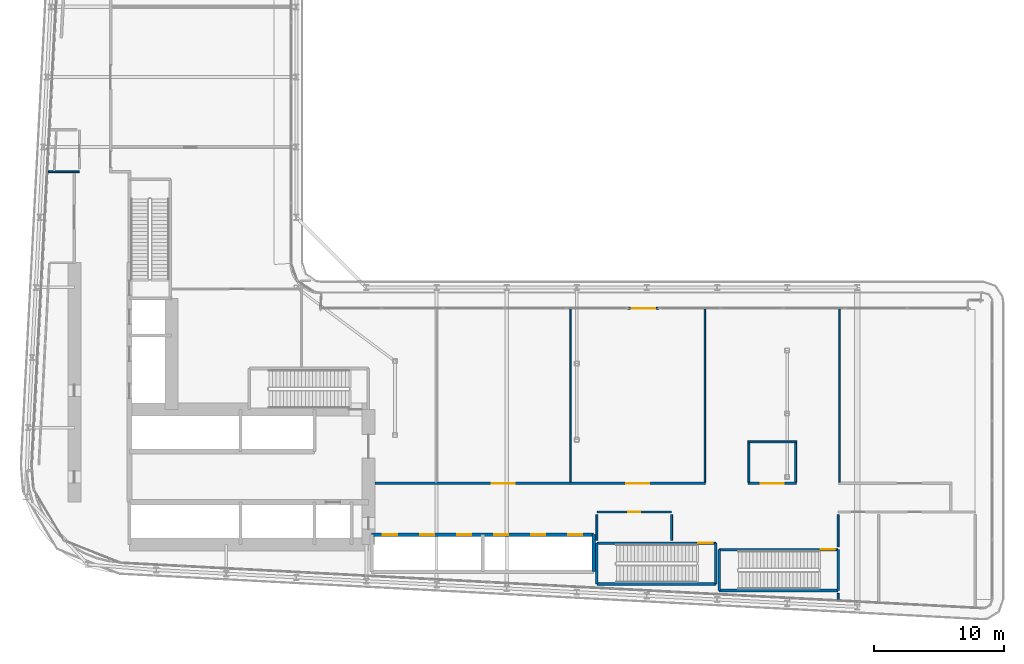
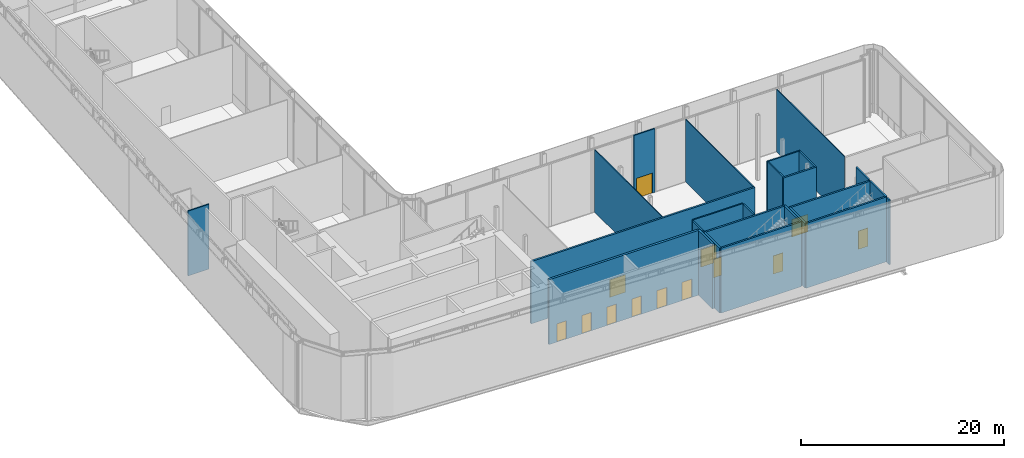
# One storey, part 26 of 36: 25 walls, 13 doors, 13 openings.
"""IFC4 building model written with IfcOpenShell, lengths in metres."""

from ifc_helpers import new_model, si_unit, direction, frame, frame_2d, origin, place, context, subcontext, project, spatial, rectangle, extrude, source, transform, mapped, material, layer, layer_set, type_object, element, fill, save


model = new_model("IFC4")

# Units and contexts
model_context = context("Model", 3, precision=1e-05, world=origin(), true_north=direction((0.0, 1.0)))
body_context = subcontext(model_context, "Body", "Model", "MODEL_VIEW")
ifc_project = project(units=[si_unit("LENGTHUNIT", "METRE"), si_unit("AREAUNIT", "SQUARE_METRE"), si_unit("VOLUMEUNIT", "CUBIC_METRE"), si_unit("PLANEANGLEUNIT", "RADIAN"), si_unit("MASSUNIT", "GRAM", prefix="KILO")], contexts=[model_context])

# Site, building, storey
site_placement = place(None, origin())
site = spatial("IfcSite", under=ifc_project, at=site_placement, CompositionType="ELEMENT")
building_placement = place(site_placement, origin())
building = spatial("IfcBuilding", under=site, at=building_placement, Name="Kheshtan School and Residences Tower", CompositionType="ELEMENT")
storey_placement = place(building_placement, frame((0.0, 0.0, 81.199951171875)))
storey = spatial("IfcBuildingStorey", under=building, at=storey_placement, Name="L19", CompositionType="ELEMENT", Elevation=81.199951171875)

# Wall, openings, doors
ifc_material_1 = material(Name="Gypsum board on steel studs with fire boards", Category="steel")
ifc_layer_1 = layer(ifc_material_1, 0.199951171875)
ifc_layer_set_1 = layer_set([ifc_layer_1], Name="Corridor wall 200")
wall_type_1 = type_object("IfcWallType", Name="Corridor wall 200", PredefinedType="PARTITIONING", material=ifc_layer_set_1)
wall_1_placement = place(storey_placement, frame((53.64892578125, 30.5, 0.0), z_axis=(0.0, 0.0, 1.0), x_axis=(1.0, 0.0, 0.0)))
wall_1 = element("IfcWall", 1, at=wall_1_placement, inside=storey, type_object=wall_type_1, Name="Partition L19-027", PredefinedType="PARTITIONING", context=body_context, shape_type="SweptSolid", body=[
    extrude(rectangle(XDim=25.465087890625, YDim=0.199951171875, at=frame_2d((12.732421875, 0.0))), origin(), (0.0, 0.0, 1.0), 7.5),
])
opening_1_placement = place(wall_1_placement, frame((8.98291015625, 0.0, 0.0)))
opening_1 = element("IfcOpeningElement", 2, at=opening_1_placement, cuts=wall_1, Name="Opening D19-002", PredefinedType="OPENING", context=body_context, shape_type="SweptSolid", body=[
    extrude(rectangle(XDim=1.800048828125, YDim=2.10009765625, at=frame_2d((0.89990234375, 1.050048828125))), frame((0.0, 0.10986328125, 0.0), z_axis=(0.0, -1.0, 0.0), x_axis=(1.0, 0.0, 0.0)), (0.0, 0.0, 1.0), 0.219970703125),
])
opening_2_placement = place(wall_1_placement, frame((19.341064453125, 0.0, 0.0)))
opening_2 = element("IfcOpeningElement", 3, at=opening_2_placement, cuts=wall_1, Name="Opening D19-003", PredefinedType="OPENING", context=body_context, shape_type="SweptSolid", body=[
    extrude(rectangle(XDim=1.800048828125, YDim=2.10009765625, at=frame_2d((0.89990234375, 1.050048828125))), frame((0.0, 0.10986328125, 0.0), z_axis=(0.0, -1.0, 0.0), x_axis=(1.0, 0.0, 0.0)), (0.0, 0.0, 1.0), 0.219970703125),
])
ifc_material_2 = material(Name="Steel-framed fire-resisting door leaf", Category="steel")
door_type_1 = type_object("IfcDoorType", Name="Fire double door FD60 1800 x 2100", OperationType="DOUBLE_DOOR_SINGLE_SWING", PredefinedType="DOOR", material=ifc_material_2)
shared_shape_1 = source(origin(), body_context, "Body", "SweptSolid", [
    extrude(rectangle(XDim=1.800048828125, YDim=2.10009765625, at=frame_2d((0.89990234375, 1.050048828125))), frame((0.0, 0.02490234375, 0.0), z_axis=(0.0, -1.0, 0.0), x_axis=(1.0, 0.0, 0.0)), (0.0, 0.0, 1.0), 0.050048828125),
])
door_1_placement = place(opening_1_placement, origin())
door_1 = element("IfcDoor", 4, at=door_1_placement, inside=storey, type_object=door_type_1, Name="Door D19-002", OperationType="DOUBLE_DOOR_SINGLE_SWING", OverallHeight=2.10009765625, OverallWidth=1.800048828125, PredefinedType="DOOR", context=body_context, shape_type="MappedRepresentation", body=[
    mapped(shared_shape_1, transform((0.0, 0.0, 0.0), x_axis=(1.0, 0.0, 0.0), y_axis=(0.0, 1.0, 0.0), z_axis=(0.0, 0.0, 1.0), scale=1.0)),
])
fill(opening_1, door_1)
door_2_placement = place(opening_2_placement, origin())
door_2 = element("IfcDoor", 5, at=door_2_placement, inside=storey, type_object=door_type_1, Name="Door D19-003", OperationType="DOUBLE_DOOR_SINGLE_SWING", OverallHeight=2.10009765625, OverallWidth=1.800048828125, PredefinedType="DOOR", context=body_context, shape_type="MappedRepresentation", body=[
    mapped(shared_shape_1, transform((0.0, 0.0, 0.0), x_axis=(1.0, 0.0, 0.0), y_axis=(0.0, 1.0, 0.0), z_axis=(0.0, 0.0, 1.0), scale=1.0)),
])
fill(opening_2, door_2)

# Wall, opening, door
wall_2_placement = place(storey_placement, frame((82.373046875, 30.5, 0.0), z_axis=(0.0, 0.0, 1.0), x_axis=(1.0, 0.0, 0.0)))
wall_2 = element("IfcWall", 6, at=wall_2_placement, inside=storey, type_object=wall_type_1, Name="Partition L19-031", PredefinedType="PARTITIONING", context=body_context, shape_type="SweptSolid", body=[
    extrude(rectangle(XDim=3.75, YDim=0.199951171875, at=frame_2d((1.875, 0.0))), origin(), (0.0, 0.0, 1.0), 7.5),
])
opening_3_placement = place(wall_2_placement, frame((0.97509765625, 0.0, 0.0)))
opening_3 = element("IfcOpeningElement", 7, at=opening_3_placement, cuts=wall_2, Name="Opening D19-004", PredefinedType="OPENING", context=body_context, shape_type="SweptSolid", body=[
    extrude(rectangle(XDim=1.800048828125, YDim=2.10009765625, at=frame_2d((0.89990234375, 1.050048828125))), frame((0.0, 0.10986328125, 0.0), z_axis=(0.0, -1.0, 0.0), x_axis=(1.0, 0.0, 0.0)), (0.0, 0.0, 1.0), 0.219970703125),
])
door_3_placement = place(opening_3_placement, origin())
door_3 = element("IfcDoor", 8, at=door_3_placement, inside=storey, type_object=door_type_1, Name="Door D19-004", OperationType="DOUBLE_DOOR_SINGLE_SWING", OverallHeight=2.10009765625, OverallWidth=1.800048828125, PredefinedType="DOOR", context=body_context, shape_type="MappedRepresentation", body=[
    mapped(shared_shape_1, transform((0.0, 0.0, 0.0), x_axis=(1.0, 0.0, 0.0), y_axis=(0.0, 1.0, 0.0), z_axis=(0.0, 0.0, 1.0), scale=1.0)),
])
fill(opening_3, door_3)

ifc_material_3 = material(Name="Aluminium frame wall with insulated infill", Category="aluminium")
ifc_layer_2 = layer(ifc_material_3, 0.14990234375)
ifc_layer_set_2 = layer_set([ifc_layer_2], Name="Glazing frame wall 150")
wall_type_2 = type_object("IfcWallType", Name="Glazing frame wall 150", PredefinedType="SOLIDWALL", material=ifc_layer_set_2)
wall_3_placement = place(storey_placement, frame((73.1298828125, 43.97509765625, 0.0), z_axis=(0.0, 0.0, 1.0), x_axis=(1.0, 0.0, 0.0)))
wall_3 = element("IfcWall", 9, at=wall_3_placement, inside=storey, type_object=wall_type_2, Name="Terrace door wall L19 5", PredefinedType="SOLIDWALL", context=body_context, shape_type="SweptSolid", body=[
    extrude(rectangle(XDim=2.400146484375, YDim=0.14990234375, at=frame_2d((1.2001953125, 0.0))), origin(), (0.0, 0.0, 1.0), 7.650146484375),
])
opening_4_placement = place(wall_3_placement, frame((0.300048828125, 0.0, 0.0)))
opening_4 = element("IfcOpeningElement", 10, at=opening_4_placement, cuts=wall_3, Name="Opening BD", PredefinedType="OPENING", context=body_context, shape_type="SweptSolid", body=[
    extrude(rectangle(XDim=1.800048828125, YDim=2.39990234375, at=frame_2d((0.89990234375, 1.199951171875))), frame((0.0, 0.0849609375, 0.0), z_axis=(0.0, -1.0, 0.0), x_axis=(1.0, 0.0, 0.0)), (0.0, 0.0, 1.0), 0.169921875),
])
ifc_material_4 = material(Name="Clear low-e glass in thermally broken aluminium frame", Category="aluminium")
door_type_2 = type_object("IfcDoorType", Name="Balcony sliding door", OperationType="SLIDING_TO_LEFT", PredefinedType="DOOR", material=ifc_material_4)
shared_shape_2 = source(origin(), body_context, "Body", "SweptSolid", [
    extrude(rectangle(XDim=1.800048828125, YDim=2.39990234375, at=frame_2d((0.89990234375, 1.199951171875))), frame((0.0, 0.02490234375, 0.0), z_axis=(0.0, -1.0, 0.0), x_axis=(1.0, 0.0, 0.0)), (0.0, 0.0, 1.0), 0.050048828125),
])
door_4_placement = place(opening_4_placement, origin())
door_4 = element("IfcDoor", 11, at=door_4_placement, inside=storey, type_object=door_type_2, Name="Terrace door L19 5", OperationType="SLIDING_TO_LEFT", OverallHeight=2.39990234375, OverallWidth=1.800048828125, PredefinedType="DOOR", context=body_context, shape_type="MappedRepresentation", body=[
    mapped(shared_shape_2, transform((0.0, 0.0, 0.0), x_axis=(1.0, 0.0, 0.0), y_axis=(0.0, 1.0, 0.0), z_axis=(0.0, 0.0, 1.0), scale=1.0)),
])
fill(opening_4, door_4)

# Walls
ifc_material_5 = material(Name="Gypsum board on steel studs", Category="steel")
ifc_layer_3 = layer(ifc_material_5, 0.10009765625)
ifc_layer_set_3 = layer_set([ifc_layer_3], Name="Gypsum partition 100")
wall_type_3 = type_object("IfcWallType", Name="Gypsum partition 100", PredefinedType="PARTITIONING", material=ifc_layer_set_3)
for number, where, z_axis, x_axis, name in (
    (12, (68.7060546875, 30.60009765625, 0.0), (0.0, 0.0, 1.0), (0.0, 1.0, 0.0), "Partition L19-029"),
    (13, (79.06396484375, 30.60009765625, 0.0), (0.0, 0.0, 1.0), (0.0, 1.0, 0.0), "Partition L19-030"),
    (14, (89.422119140625, 30.60009765625, 0.0), (0.0, 0.0, 1.0), (0.0, 1.0, 0.0), "Partition L19-036"),
):
    element("IfcWall", number, at=place(storey_placement, frame(where, z_axis=z_axis, x_axis=x_axis)), inside=storey, type_object=wall_type_3, Name=name, PredefinedType="PARTITIONING", context=body_context, shape_type="SweptSolid", body=[
        extrude(rectangle(XDim=13.369873046875, YDim=0.10009765625, at=frame_2d((6.68505859375, 0.0))), origin(), (0.0, 0.0, 1.0), 7.5),
    ])
ifc_material_6 = material(Name="Fire-board shaft wall system")
ifc_layer_4 = layer(ifc_material_6, 0.14990234375)
ifc_layer_set_4 = layer_set([ifc_layer_4], Name="Service room wall 150")
wall_type_4 = type_object("IfcWallType", Name="Service room wall 150", PredefinedType="PARTITIONING", material=ifc_layer_set_4)
wall_4_placement = place(storey_placement, frame((28.508056640625, 54.5, 0.0), z_axis=(0.0, 0.0, 1.0), x_axis=(1.0, 0.0, 0.0)))
element("IfcWall", 15, at=wall_4_placement, inside=storey, type_object=wall_type_4, Name="Service room wall", PredefinedType="PARTITIONING", context=body_context, shape_type="SweptSolid", body=[
    extrude(rectangle(XDim=2.391845703125, YDim=0.14990234375, at=frame_2d((1.19580078125, 0.0))), origin(), (0.0, 0.0, 1.0), 7.800048828125),
])

# Wall, opening, door
wall_5_placement = place(storey_placement, frame((70.75, 28.300048828125, 0.0), z_axis=(0.0, 0.0, 1.0), x_axis=(1.0, 0.0, 0.0)))
wall_5 = element("IfcWall", 16, at=wall_5_placement, inside=storey, type_object=wall_type_4, Name="Service room wall", PredefinedType="PARTITIONING", context=body_context, shape_type="SweptSolid", body=[
    extrude(rectangle(XDim=5.760009765625, YDim=0.14990234375, at=frame_2d((2.8798828125, 0.0))), origin(), (0.0, 0.0, 1.0), 7.800048828125),
])
opening_5_placement = place(wall_5_placement, frame((2.429931640625, 0.0, 0.0)))
opening_5 = element("IfcOpeningElement", 17, at=opening_5_placement, cuts=wall_5, Name="Opening SR90", PredefinedType="OPENING", context=body_context, shape_type="SweptSolid", body=[
    extrude(rectangle(XDim=0.89990234375, YDim=2.199951171875, at=frame_2d((0.449951171875, 1.10009765625))), frame((0.0, 0.0849609375, 0.0), z_axis=(0.0, -1.0, 0.0), x_axis=(1.0, 0.0, 0.0)), (0.0, 0.0, 1.0), 0.169921875),
])
ifc_material_7 = material(Name="Steel door leaf, galvanised", Category="steel")
door_type_3 = type_object("IfcDoorType", Name="Service room door 900 steel 90 min", OperationType="SINGLE_SWING_LEFT", PredefinedType="DOOR", material=ifc_material_7)
shared_shape_3 = source(origin(), body_context, "Body", "SweptSolid", [
    extrude(rectangle(XDim=0.89990234375, YDim=2.199951171875, at=frame_2d((0.449951171875, 1.10009765625))), frame((0.0, 0.02490234375, 0.0), z_axis=(0.0, -1.0, 0.0), x_axis=(1.0, 0.0, 0.0)), (0.0, 0.0, 1.0), 0.050048828125),
])
door_5_placement = place(opening_5_placement, origin())
door_5 = element("IfcDoor", 18, at=door_5_placement, inside=storey, type_object=door_type_3, Name="Service room door", OperationType="SINGLE_SWING_LEFT", OverallHeight=2.199951171875, OverallWidth=0.89990234375, PredefinedType="DOOR", context=body_context, shape_type="MappedRepresentation", body=[
    mapped(shared_shape_3, transform((0.0, 0.0, 0.0), x_axis=(1.0, 0.0, 0.0), y_axis=(0.0, 1.0, 0.0), z_axis=(0.0, 0.0, 1.0), scale=1.0)),
])
fill(opening_5, door_5)

# Walls
for number, where, z_axis, x_axis, name in (
    (19, (70.75, 26.1201171875, 0.0), (0.0, 0.0, 1.0), (0.0, 1.0, 0.0), "Service room wall"),
    (20, (76.510009765625, 26.1201171875, 0.0), (0.0, 0.0, 1.0), (0.0, 1.0, 0.0), "Service room wall"),
):
    element("IfcWall", number, at=place(storey_placement, frame(where, z_axis=z_axis, x_axis=x_axis)), inside=storey, type_object=wall_type_4, Name=name, PredefinedType="PARTITIONING", context=body_context, shape_type="SweptSolid", body=[
        extrude(rectangle(XDim=1.98486328125, YDim=0.14990234375, at=frame_2d((0.992431640625, 0.0))), origin(), (0.0, 0.0, 1.0), 7.800048828125),
    ])
wall_6_placement = place(storey_placement, frame((89.320068359375, 21.571044921875, 0.0), z_axis=(0.0, 0.0, 1.0), x_axis=(0.0, 1.0, 0.0)))
element("IfcWall", 21, at=wall_6_placement, inside=storey, type_object=wall_type_4, Name="Service room wall", PredefinedType="PARTITIONING", context=body_context, shape_type="SweptSolid", body=[
    extrude(rectangle(XDim=0.458984375, YDim=0.14990234375, at=frame_2d((0.2294921875, 0.0))), origin(), (0.0, 0.0, 1.0), 7.800048828125),
])
wall_7_placement = place(storey_placement, frame((89.320068359375, 25.6201171875, 0.0), z_axis=(0.0, 0.0, 1.0), x_axis=(0.0, 1.0, 0.0)))
element("IfcWall", 22, at=wall_7_placement, inside=storey, type_object=wall_type_4, Name="Service room wall", PredefinedType="PARTITIONING", context=body_context, shape_type="SweptSolid", body=[
    extrude(rectangle(XDim=2.48486328125, YDim=0.14990234375, at=frame_2d((1.242431640625, 0.0))), origin(), (0.0, 0.0, 1.0), 7.800048828125),
])
ifc_layer_5 = layer(ifc_material_6, 0.25)
ifc_layer_set_5 = layer_set([ifc_layer_5], Name="Shaft lining wall 250")
wall_type_5 = type_object("IfcWallType", Name="Shaft lining wall 250", PredefinedType="PARTITIONING", material=ifc_layer_set_5)
wall_8_placement = place(storey_placement, frame((70.5, 23.699951171875, 0.0), z_axis=(0.0, 0.0, 1.0), x_axis=(0.0, 1.0, 0.0)))
element("IfcWall", 23, at=wall_8_placement, inside=storey, type_object=wall_type_5, Name="Shaft lining wall", PredefinedType="PARTITIONING", context=body_context, shape_type="SweptSolid", body=[
    extrude(rectangle(XDim=2.85009765625, YDim=0.25, at=frame_2d((1.425048828125, 0.0))), origin(), (0.0, 0.0, 1.0), 7.800048828125),
])

# Wall, openings, doors
wall_9_placement = place(storey_placement, frame((53.39990234375, 26.550048828125, 0.0), z_axis=(0.0, 0.0, 1.0), x_axis=(1.0, 0.0, 0.0)))
wall_9 = element("IfcWall", 24, at=wall_9_placement, inside=storey, type_object=wall_type_5, Name="Shaft lining wall", PredefinedType="PARTITIONING", context=body_context, shape_type="SweptSolid", body=[
    extrude(rectangle(XDim=17.10009765625, YDim=0.25, at=frame_2d((8.550048828125, 0.0))), origin(), (0.0, 0.0, 1.0), 7.800048828125),
])
opening_6_placement = place(wall_9_placement, frame((0.875, 0.0, 0.0)))
opening_6 = element("IfcOpeningElement", 25, at=opening_6_placement, cuts=wall_9, Name="Opening LD", PredefinedType="OPENING", context=body_context, shape_type="SweptSolid", body=[
    extrude(rectangle(XDim=1.10009765625, YDim=2.199951171875, at=frame_2d((0.550048828125, 1.10009765625))), frame((0.0, 0.135009765625, 0.0), z_axis=(0.0, -1.0, 0.0), x_axis=(1.0, 0.0, 0.0)), (0.0, 0.0, 1.0), 0.27001953125),
])
opening_7_placement = place(wall_9_placement, frame((3.72509765625, 0.0, 0.0)))
opening_7 = element("IfcOpeningElement", 26, at=opening_7_placement, cuts=wall_9, Name="Opening LD", PredefinedType="OPENING", context=body_context, shape_type="SweptSolid", body=[
    extrude(rectangle(XDim=1.10009765625, YDim=2.199951171875, at=frame_2d((0.550048828125, 1.10009765625))), frame((0.0, 0.135009765625, 0.0), z_axis=(0.0, -1.0, 0.0), x_axis=(1.0, 0.0, 0.0)), (0.0, 0.0, 1.0), 0.27001953125),
])
opening_8_placement = place(wall_9_placement, frame((6.574951171875, 0.0, 0.0)))
opening_8 = element("IfcOpeningElement", 27, at=opening_8_placement, cuts=wall_9, Name="Opening LD", PredefinedType="OPENING", context=body_context, shape_type="SweptSolid", body=[
    extrude(rectangle(XDim=1.10009765625, YDim=2.199951171875, at=frame_2d((0.550048828125, 1.10009765625))), frame((0.0, 0.135009765625, 0.0), z_axis=(0.0, -1.0, 0.0), x_axis=(1.0, 0.0, 0.0)), (0.0, 0.0, 1.0), 0.27001953125),
])
opening_9_placement = place(wall_9_placement, frame((9.425048828125, 0.0, 0.0)))
opening_9 = element("IfcOpeningElement", 28, at=opening_9_placement, cuts=wall_9, Name="Opening LD", PredefinedType="OPENING", context=body_context, shape_type="SweptSolid", body=[
    extrude(rectangle(XDim=1.10009765625, YDim=2.199951171875, at=frame_2d((0.550048828125, 1.10009765625))), frame((0.0, 0.135009765625, 0.0), z_axis=(0.0, -1.0, 0.0), x_axis=(1.0, 0.0, 0.0)), (0.0, 0.0, 1.0), 0.27001953125),
])
opening_10_placement = place(wall_9_placement, frame((12.27490234375, 0.0, 0.0)))
opening_10 = element("IfcOpeningElement", 29, at=opening_10_placement, cuts=wall_9, Name="Opening LD", PredefinedType="OPENING", context=body_context, shape_type="SweptSolid", body=[
    extrude(rectangle(XDim=1.10009765625, YDim=2.199951171875, at=frame_2d((0.550048828125, 1.10009765625))), frame((0.0, 0.135009765625, 0.0), z_axis=(0.0, -1.0, 0.0), x_axis=(1.0, 0.0, 0.0)), (0.0, 0.0, 1.0), 0.27001953125),
])
opening_11_placement = place(wall_9_placement, frame((15.125, 0.0, 0.0)))
opening_11 = element("IfcOpeningElement", 30, at=opening_11_placement, cuts=wall_9, Name="Opening LD", PredefinedType="OPENING", context=body_context, shape_type="SweptSolid", body=[
    extrude(rectangle(XDim=1.10009765625, YDim=2.199951171875, at=frame_2d((0.550048828125, 1.10009765625))), frame((0.0, 0.135009765625, 0.0), z_axis=(0.0, -1.0, 0.0), x_axis=(1.0, 0.0, 0.0)), (0.0, 0.0, 1.0), 0.27001953125),
])
ifc_material_8 = material(Name="Stainless steel door leaves", Category="steel")
door_type_4 = type_object("IfcDoorType", Name="Lift landing door 1100", OperationType="SLIDING_TO_LEFT", PredefinedType="DOOR", material=ifc_material_8)
shared_shape_4 = source(origin(), body_context, "Body", "SweptSolid", [
    extrude(rectangle(XDim=1.10009765625, YDim=2.199951171875, at=frame_2d((0.550048828125, 1.10009765625))), frame((0.0, 0.02490234375, 0.0), z_axis=(0.0, -1.0, 0.0), x_axis=(1.0, 0.0, 0.0)), (0.0, 0.0, 1.0), 0.050048828125),
])
door_6_placement = place(opening_6_placement, origin())
door_6 = element("IfcDoor", 31, at=door_6_placement, inside=storey, type_object=door_type_4, Name="Lift P1 landing door", OperationType="SLIDING_TO_LEFT", OverallHeight=2.199951171875, OverallWidth=1.10009765625, PredefinedType="DOOR", context=body_context, shape_type="MappedRepresentation", body=[
    mapped(shared_shape_4, transform((0.0, 0.0, 0.0), x_axis=(1.0, 0.0, 0.0), y_axis=(0.0, 1.0, 0.0), z_axis=(0.0, 0.0, 1.0), scale=1.0)),
])
fill(opening_6, door_6)
door_7_placement = place(opening_7_placement, origin())
door_7 = element("IfcDoor", 32, at=door_7_placement, inside=storey, type_object=door_type_4, Name="Lift P2 landing door", OperationType="SLIDING_TO_LEFT", OverallHeight=2.199951171875, OverallWidth=1.10009765625, PredefinedType="DOOR", context=body_context, shape_type="MappedRepresentation", body=[
    mapped(shared_shape_4, transform((0.0, 0.0, 0.0), x_axis=(1.0, 0.0, 0.0), y_axis=(0.0, 1.0, 0.0), z_axis=(0.0, 0.0, 1.0), scale=1.0)),
])
fill(opening_7, door_7)
door_8_placement = place(opening_8_placement, origin())
door_8 = element("IfcDoor", 33, at=door_8_placement, inside=storey, type_object=door_type_4, Name="Lift P3 landing door", OperationType="SLIDING_TO_LEFT", OverallHeight=2.199951171875, OverallWidth=1.10009765625, PredefinedType="DOOR", context=body_context, shape_type="MappedRepresentation", body=[
    mapped(shared_shape_4, transform((0.0, 0.0, 0.0), x_axis=(1.0, 0.0, 0.0), y_axis=(0.0, 1.0, 0.0), z_axis=(0.0, 0.0, 1.0), scale=1.0)),
])
fill(opening_8, door_8)
door_9_placement = place(opening_9_placement, origin())
door_9 = element("IfcDoor", 34, at=door_9_placement, inside=storey, type_object=door_type_4, Name="Lift P4 landing door", OperationType="SLIDING_TO_LEFT", OverallHeight=2.199951171875, OverallWidth=1.10009765625, PredefinedType="DOOR", context=body_context, shape_type="MappedRepresentation", body=[
    mapped(shared_shape_4, transform((0.0, 0.0, 0.0), x_axis=(1.0, 0.0, 0.0), y_axis=(0.0, 1.0, 0.0), z_axis=(0.0, 0.0, 1.0), scale=1.0)),
])
fill(opening_9, door_9)
door_10_placement = place(opening_10_placement, origin())
door_10 = element("IfcDoor", 35, at=door_10_placement, inside=storey, type_object=door_type_4, Name="Lift P5 landing door", OperationType="SLIDING_TO_LEFT", OverallHeight=2.199951171875, OverallWidth=1.10009765625, PredefinedType="DOOR", context=body_context, shape_type="MappedRepresentation", body=[
    mapped(shared_shape_4, transform((0.0, 0.0, 0.0), x_axis=(1.0, 0.0, 0.0), y_axis=(0.0, 1.0, 0.0), z_axis=(0.0, 0.0, 1.0), scale=1.0)),
])
fill(opening_10, door_10)
door_11_placement = place(opening_11_placement, origin())
door_11 = element("IfcDoor", 36, at=door_11_placement, inside=storey, type_object=door_type_4, Name="Lift P6 landing door", OperationType="SLIDING_TO_LEFT", OverallHeight=2.199951171875, OverallWidth=1.10009765625, PredefinedType="DOOR", context=body_context, shape_type="MappedRepresentation", body=[
    mapped(shared_shape_4, transform((0.0, 0.0, 0.0), x_axis=(1.0, 0.0, 0.0), y_axis=(0.0, 1.0, 0.0), z_axis=(0.0, 0.0, 1.0), scale=1.0)),
])
fill(opening_11, door_11)

# Wall
ifc_material_9 = material(Name="Concrete C40/50", Category="concrete")
ifc_layer_6 = layer(ifc_material_9, 0.199951171875)
ifc_layer_set_6 = layer_set([ifc_layer_6], Name="Stair enclosure wall 200 Concrete C40/50")
wall_type_6 = type_object("IfcWallType", Name="Stair enclosure wall 200 Concrete C40/50", PredefinedType="SHEAR", material=ifc_layer_set_6)
wall_10_placement = place(storey_placement, frame((80.159912109375, 22.25, 0.0), z_axis=(0.0, 0.0, 1.0), x_axis=(1.0, 0.0, 0.0)))
element("IfcWall", 37, at=wall_10_placement, inside=storey, type_object=wall_type_6, Name="Stair enclosure wall ST4", PredefinedType="SHEAR", context=body_context, shape_type="SweptSolid", body=[
    extrude(rectangle(XDim=9.16015625, YDim=0.199951171875, at=frame_2d((4.580078125, 0.0))), origin(), (0.0, 0.0, 1.0), 7.800048828125),
])

# Wall, opening, door
wall_11_placement = place(storey_placement, frame((80.159912109375, 25.39990234375, 0.0), z_axis=(0.0, 0.0, 1.0), x_axis=(1.0, 0.0, 0.0)))
wall_11 = element("IfcWall", 38, at=wall_11_placement, inside=storey, type_object=wall_type_6, Name="Stair enclosure wall ST4", PredefinedType="SHEAR", context=body_context, shape_type="SweptSolid", body=[
    extrude(rectangle(XDim=9.16015625, YDim=0.199951171875, at=frame_2d((4.580078125, 0.0))), origin(), (0.0, 0.0, 1.0), 7.800048828125),
])
opening_12_placement = place(wall_11_placement, frame((7.81005859375, 0.0, 0.0)))
opening_12 = element("IfcOpeningElement", 39, at=opening_12_placement, cuts=wall_11, Name="Opening ST4D", PredefinedType="OPENING", context=body_context, shape_type="SweptSolid", body=[
    extrude(rectangle(XDim=1.10009765625, YDim=2.199951171875, at=frame_2d((0.550048828125, 1.10009765625))), frame((0.0, 0.10986328125, 0.0), z_axis=(0.0, -1.0, 0.0), x_axis=(1.0, 0.0, 0.0)), (0.0, 0.0, 1.0), 0.219970703125),
])
door_type_5 = type_object("IfcDoorType", Name="Stair door 1100 steel 90 min", OperationType="SINGLE_SWING_LEFT", PredefinedType="DOOR", material=ifc_material_7)
shared_shape_5 = source(origin(), body_context, "Body", "SweptSolid", [
    extrude(rectangle(XDim=1.10009765625, YDim=2.199951171875, at=frame_2d((0.550048828125, 1.10009765625))), frame((0.0, 0.02490234375, 0.0), z_axis=(0.0, -1.0, 0.0), x_axis=(1.0, 0.0, 0.0)), (0.0, 0.0, 1.0), 0.050048828125),
])
door_12_placement = place(opening_12_placement, origin())
door_12 = element("IfcDoor", 40, at=door_12_placement, inside=storey, type_object=door_type_5, Name="Stair ST4 door", OperationType="SINGLE_SWING_LEFT", OverallHeight=2.199951171875, OverallWidth=1.10009765625, PredefinedType="DOOR", context=body_context, shape_type="MappedRepresentation", body=[
    mapped(shared_shape_5, transform((0.0, 0.0, 0.0), x_axis=(1.0, 0.0, 0.0), y_axis=(0.0, 1.0, 0.0), z_axis=(0.0, 0.0, 1.0), scale=1.0)),
])
fill(opening_12, door_12)

# Walls
for number, where, z_axis, x_axis, name in (
    (41, (80.159912109375, 22.25, 0.0), (0.0, 0.0, 1.0), (0.0, 1.0, 0.0), "Stair enclosure wall ST4"),
    (42, (89.320068359375, 22.25, 0.0), (0.0, 0.0, 1.0), (0.0, 1.0, 0.0), "Stair enclosure wall ST4"),
):
    element("IfcWall", number, at=place(storey_placement, frame(where, z_axis=z_axis, x_axis=x_axis)), inside=storey, type_object=wall_type_6, Name=name, PredefinedType="SHEAR", context=body_context, shape_type="SweptSolid", body=[
        extrude(rectangle(XDim=3.14990234375, YDim=0.199951171875, at=frame_2d((1.574951171875, 0.0))), origin(), (0.0, 0.0, 1.0), 7.800048828125),
    ])
wall_12_placement = place(storey_placement, frame((70.75, 22.75, 0.0), z_axis=(0.0, 0.0, 1.0), x_axis=(1.0, 0.0, 0.0)))
element("IfcWall", 43, at=wall_12_placement, inside=storey, type_object=wall_type_6, Name="Stair enclosure wall ST5", PredefinedType="SHEAR", context=body_context, shape_type="SweptSolid", body=[
    extrude(rectangle(XDim=9.159912109375, YDim=0.199951171875, at=frame_2d((4.580078125, 0.0))), origin(), (0.0, 0.0, 1.0), 7.800048828125),
])

# Wall, opening, door
wall_13_placement = place(storey_placement, frame((70.75, 25.89990234375, 0.0), z_axis=(0.0, 0.0, 1.0), x_axis=(1.0, 0.0, 0.0)))
wall_13 = element("IfcWall", 44, at=wall_13_placement, inside=storey, type_object=wall_type_6, Name="Stair enclosure wall ST5", PredefinedType="SHEAR", context=body_context, shape_type="SweptSolid", body=[
    extrude(rectangle(XDim=9.159912109375, YDim=0.199951171875, at=frame_2d((4.580078125, 0.0))), origin(), (0.0, 0.0, 1.0), 7.800048828125),
])
opening_13_placement = place(wall_13_placement, frame((7.81005859375, 0.0, 0.0)))
opening_13 = element("IfcOpeningElement", 45, at=opening_13_placement, cuts=wall_13, Name="Opening ST5D", PredefinedType="OPENING", context=body_context, shape_type="SweptSolid", body=[
    extrude(rectangle(XDim=1.10009765625, YDim=2.199951171875, at=frame_2d((0.550048828125, 1.10009765625))), frame((0.0, 0.10986328125, 0.0), z_axis=(0.0, -1.0, 0.0), x_axis=(1.0, 0.0, 0.0)), (0.0, 0.0, 1.0), 0.219970703125),
])
door_13_placement = place(opening_13_placement, origin())
door_13 = element("IfcDoor", 46, at=door_13_placement, inside=storey, type_object=door_type_5, Name="Stair ST5 door", OperationType="SINGLE_SWING_LEFT", OverallHeight=2.199951171875, OverallWidth=1.10009765625, PredefinedType="DOOR", context=body_context, shape_type="MappedRepresentation", body=[
    mapped(shared_shape_5, transform((0.0, 0.0, 0.0), x_axis=(1.0, 0.0, 0.0), y_axis=(0.0, 1.0, 0.0), z_axis=(0.0, 0.0, 1.0), scale=1.0)),
])
fill(opening_13, door_13)

# Walls
for number, where, z_axis, x_axis, name in (
    (47, (70.75, 22.75, 0.0), (0.0, 0.0, 1.0), (0.0, 1.0, 0.0), "Stair enclosure wall ST5"),
    (48, (79.909912109375, 22.75, 0.0), (0.0, 0.0, 1.0), (0.0, 1.0, 0.0), "Stair enclosure wall ST5"),
):
    element("IfcWall", number, at=place(storey_placement, frame(where, z_axis=z_axis, x_axis=x_axis)), inside=storey, type_object=wall_type_6, Name=name, PredefinedType="SHEAR", context=body_context, shape_type="SweptSolid", body=[
        extrude(rectangle(XDim=3.14990234375, YDim=0.199951171875, at=frame_2d((1.574951171875, 0.0))), origin(), (0.0, 0.0, 1.0), 7.800048828125),
    ])
ifc_material_10 = material(Name="Moisture-resistant gypsum board on steel studs", Category="steel")
ifc_layer_7 = layer(ifc_material_10, 0.14990234375)
ifc_layer_set_7 = layer_set([ifc_layer_7], Name="Wet-room partition 150")
wall_type_7 = type_object("IfcWallType", Name="Wet-room partition 150", PredefinedType="PARTITIONING", material=ifc_layer_set_7)
wall_14_placement = place(storey_placement, frame((82.373046875, 33.699951171875, 0.0), z_axis=(0.0, 0.0, 1.0), x_axis=(1.0, 0.0, 0.0)))
element("IfcWall", 49, at=wall_14_placement, inside=storey, type_object=wall_type_7, Name="Partition L19-032", PredefinedType="PARTITIONING", context=body_context, shape_type="SweptSolid", body=[
    extrude(rectangle(XDim=3.75, YDim=0.14990234375, at=frame_2d((1.875, 0.0))), origin(), (0.0, 0.0, 1.0), 7.5),
])
for number, where, z_axis, x_axis, name in (
    (50, (82.447998046875, 30.60009765625, 0.0), (0.0, 0.0, 1.0), (0.0, 1.0, 0.0), "Partition L19-033"),
    (51, (86.048095703125, 30.60009765625, 0.0), (0.0, 0.0, 1.0), (0.0, 1.0, 0.0), "Partition L19-034"),
):
    element("IfcWall", number, at=place(storey_placement, frame(where, z_axis=z_axis, x_axis=x_axis)), inside=storey, type_object=wall_type_7, Name=name, PredefinedType="PARTITIONING", context=body_context, shape_type="SweptSolid", body=[
        extrude(rectangle(XDim=3.02490234375, YDim=0.14990234375, at=frame_2d((1.512451171875, 0.0))), origin(), (0.0, 0.0, 1.0), 7.5),
    ])

save(model, "model.ifc")
